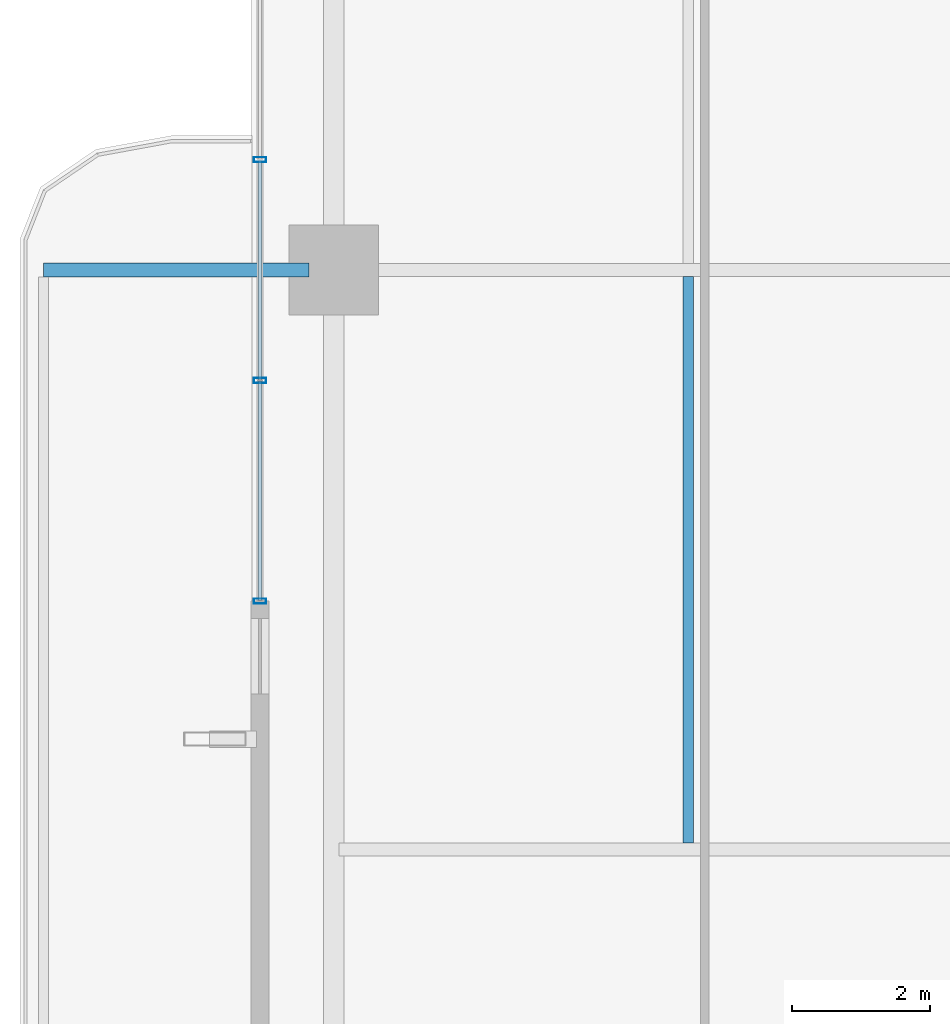
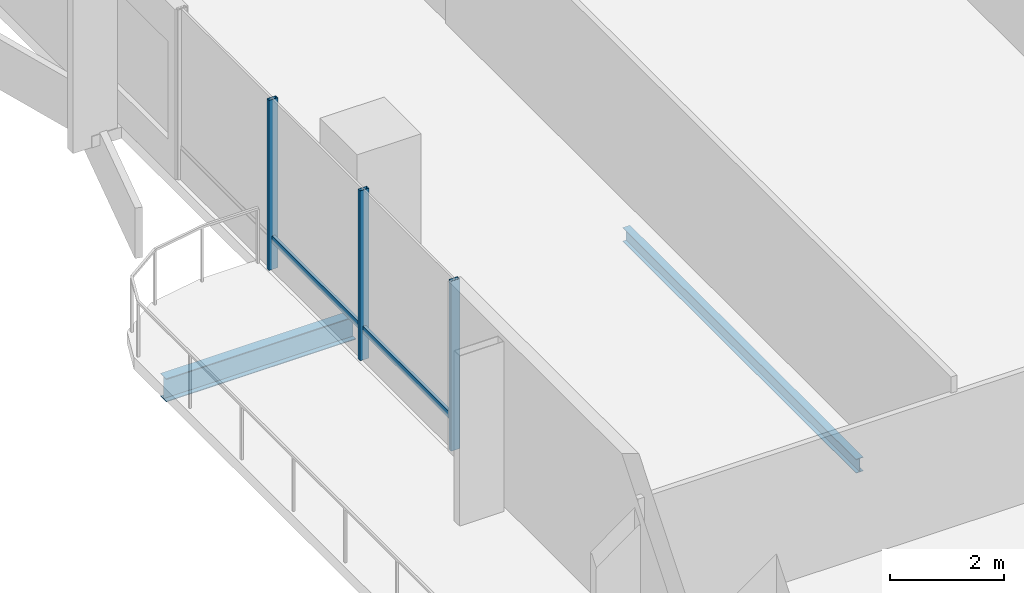
# One storey, part 4 of 24: 5 members, 2 beams, 1 element without a shape of its own.
"""IFC4 building model written with IfcOpenShell, lengths in metres."""

from ifc_helpers import new_model, si_unit, direction, frame, origin, origin_2d, place, context, subcontext, project, spatial, hollow_rectangle, i_section, extrude, material, layer, layer_set, material_profile, profile_set, type_object, element, aggregate, save


model = new_model("IFC4")

# Units and contexts
model_context = context("Model", 3, precision=1e-05, world=origin(), true_north=direction((0.0, 1.0)))
body_context = subcontext(model_context, "Body", "Model", "MODEL_VIEW")
ifc_project = project(units=[si_unit("LENGTHUNIT", "METRE"), si_unit("AREAUNIT", "SQUARE_METRE"), si_unit("VOLUMEUNIT", "CUBIC_METRE"), si_unit("PLANEANGLEUNIT", "RADIAN"), si_unit("MASSUNIT", "GRAM", prefix="KILO")], contexts=[model_context])

# Site, building, storey
site_placement = place(None, origin())
site = spatial("IfcSite", under=ifc_project, at=site_placement, CompositionType="ELEMENT")
building_placement = place(site_placement, origin())
building = spatial("IfcBuilding", under=site, at=building_placement, Name="Belovzor Exchange Tower", CompositionType="ELEMENT")
storey_placement = place(building_placement, frame((0.0, 0.0, 129.0)))
storey = spatial("IfcBuildingStorey", under=building, at=storey_placement, Name="L31", CompositionType="ELEMENT", Elevation=129.0)

# Beams
ifc_material_1 = material(Name="Steel S355", Category="steel")
ifc_material_profile_1 = material_profile(ifc_material_1, i_section(OverallWidth=0.199951171875, OverallDepth=0.5, WebThickness=0.01025390625, FlangeThickness=0.01611328125, at=origin_2d()))
ifc_profile_set_1 = profile_set([ifc_material_profile_1], Name="Steel S355")
beam_type_1 = type_object("IfcBeamType", Name="Planted Balcony Cantilever Beam IPE 500", PredefinedType="BEAM", material=ifc_profile_set_1)
beam_1_placement = place(storey_placement, frame((3.5419921875, 28.800048828125, -0.5), z_axis=(-1.0, 0.0, 0.0), x_axis=(0.0, -1.0, 0.0)))
element("IfcBeam", 1, at=beam_1_placement, inside=storey, type_object=beam_type_1, Name="BC-500 Planted Balcony Cantilever Beam IPE 500", PredefinedType="BEAM", context=body_context, shape_type="SweptSolid", body=[
    extrude(i_section(OverallWidth=0.199951171875, OverallDepth=0.5, WebThickness=0.01025390625, FlangeThickness=0.01611328125, at=origin_2d()), origin(), (0.0, 0.0, 1.0), 3.85009765625),
])
ifc_material_2 = material(Name="Steel S355", Category="steel")
ifc_material_profile_2 = material_profile(ifc_material_2, i_section(OverallWidth=0.14990234375, OverallDepth=0.300048828125, WebThickness=0.007080078125, FlangeThickness=0.0107421875, at=origin_2d()))
ifc_profile_set_2 = profile_set([ifc_material_profile_2], Name="Steel S355")
beam_type_2 = type_object("IfcBeamType", Name="Secondary Trim Floor Joist IPE 300", PredefinedType="BEAM", material=ifc_profile_set_2)
beam_2_placement = place(storey_placement, frame((9.0390625, 20.4951171875, -0.39990234375), z_axis=(0.0, 1.0, 0.0), x_axis=(-1.0, 0.0, 0.0)))
element("IfcBeam", 2, at=beam_2_placement, inside=storey, type_object=beam_type_2, Name="FJ-300 Secondary Trim Floor Joist IPE 300", PredefinedType="BEAM", context=body_context, shape_type="SweptSolid", body=[
    extrude(i_section(OverallWidth=0.14990234375, OverallDepth=0.300048828125, WebThickness=0.007080078125, FlangeThickness=0.0107421875, at=origin_2d()), origin(), (0.0, 0.0, 1.0), 8.2099609375),
])

# Curtain wall, members
ifc_material_3 = material(Name="Anodised Aluminium Framing", Category="aluminium")
ifc_layer = layer(ifc_material_3, 0.179931640625)
ifc_layer_set = layer_set([ifc_layer], Name="Anodised Aluminium Framing")
curtain_wall_type = type_object("IfcCurtainWallType", Name="Recessed Loggia Low-Iron Triple-Glazed Curtain Wall", PredefinedType="NOTDEFINED", material=ifc_layer_set)
curtain_wall_placement = place(storey_placement, origin())
curtain_wall = element("IfcCurtainWall", 3, at=curtain_wall_placement, inside=storey, type_object=curtain_wall_type, Name="CW3 Recessed Loggia Low-Iron Triple-Glazed Curtain Wall L31", PredefinedType="NOTDEFINED")
ifc_material_4 = material(Name="Steel S355", Category="steel")
ifc_material_profile_3 = material_profile(ifc_material_4, hollow_rectangle(XDim=0.074951171875, YDim=0.179931640625, WallThickness=0.0048828125, at=origin_2d()))
ifc_profile_set_3 = profile_set([ifc_material_profile_3], Name="Steel S355")
member_type_1 = type_object("IfcMemberType", Name="Thermally Broken Curtain Wall Mullion 180x75", PredefinedType="MULLION", material=ifc_profile_set_3)
member_1_placement = place(storey_placement, frame((2.830078125, 24.0, 0.0), z_axis=(0.0, 0.0, 1.0), x_axis=(0.0, 1.0, 0.0)))
member_1 = element("IfcMember", 4, at=member_1_placement, type_object=member_type_1, Name="CW-M180 Curtain Wall Mullion 1", PredefinedType="MULLION", context=body_context, shape_type="SweptSolid", body=[
    extrude(hollow_rectangle(XDim=0.074951171875, YDim=0.179931640625, WallThickness=0.0048828125, at=origin_2d()), origin(), (0.0, 0.0, 1.0), 3.64990234375),
])
member_2_placement = place(storey_placement, frame((2.830078125, 27.199951171875, 0.0), z_axis=(0.0, 0.0, 1.0), x_axis=(0.0, 1.0, 0.0)))
member_2 = element("IfcMember", 5, at=member_2_placement, type_object=member_type_1, Name="CW-M180 Curtain Wall Mullion 2", PredefinedType="MULLION", context=body_context, shape_type="SweptSolid", body=[
    extrude(hollow_rectangle(XDim=0.074951171875, YDim=0.179931640625, WallThickness=0.0048828125, at=origin_2d()), origin(), (0.0, 0.0, 1.0), 3.64990234375),
])
member_3_placement = place(storey_placement, frame((2.830078125, 30.39990234375, 0.0), z_axis=(0.0, 0.0, 1.0), x_axis=(0.0, 1.0, 0.0)))
member_3 = element("IfcMember", 6, at=member_3_placement, type_object=member_type_1, Name="CW-M180 Curtain Wall Mullion 3", PredefinedType="MULLION", context=body_context, shape_type="SweptSolid", body=[
    extrude(hollow_rectangle(XDim=0.074951171875, YDim=0.179931640625, WallThickness=0.0048828125, at=origin_2d()), origin(), (0.0, 0.0, 1.0), 3.64990234375),
])
ifc_material_5 = material(Name="Steel S355", Category="steel")
ifc_material_profile_4 = material_profile(ifc_material_5, hollow_rectangle(XDim=0.06005859375, YDim=0.14990234375, WallThickness=0.00390625, at=origin_2d()))
ifc_profile_set_4 = profile_set([ifc_material_profile_4], Name="Steel S355")
member_type_2 = type_object("IfcMemberType", Name="Thermally Broken Curtain Wall Transom 150x60", PredefinedType="USERDEFINED", material=ifc_profile_set_4)
member_4_placement = place(storey_placement, frame((2.830078125, 24.008056640625, 0.64990234375), z_axis=(0.0, 1.0, 0.0), x_axis=(-1.0, 0.0, 0.0)))
member_4 = element("IfcMember", 7, at=member_4_placement, type_object=member_type_2, Name="CW-T150 Curtain Wall Transom 1", ObjectType="TRANSOM", PredefinedType="USERDEFINED", context=body_context, shape_type="SweptSolid", body=[
    extrude(hollow_rectangle(XDim=0.06005859375, YDim=0.14990234375, WallThickness=0.00390625, at=origin_2d()), origin(), (0.0, 0.0, 1.0), 3.183837890625),
])
member_5_placement = place(storey_placement, frame((2.830078125, 27.2080078125, 0.64990234375), z_axis=(0.0, 1.0, 0.0), x_axis=(-1.0, 0.0, 0.0)))
member_5 = element("IfcMember", 8, at=member_5_placement, type_object=member_type_2, Name="CW-T150 Curtain Wall Transom 2", ObjectType="TRANSOM", PredefinedType="USERDEFINED", context=body_context, shape_type="SweptSolid", body=[
    extrude(hollow_rectangle(XDim=0.06005859375, YDim=0.14990234375, WallThickness=0.00390625, at=origin_2d()), origin(), (0.0, 0.0, 1.0), 3.18408203125),
])
aggregate(curtain_wall, [member_1, member_2, member_3, member_4, member_5])

save(model, "model.ifc")
